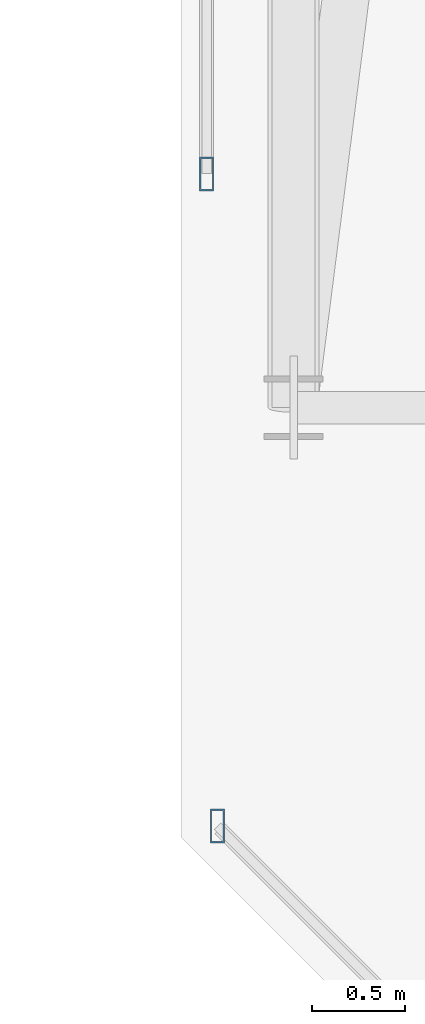
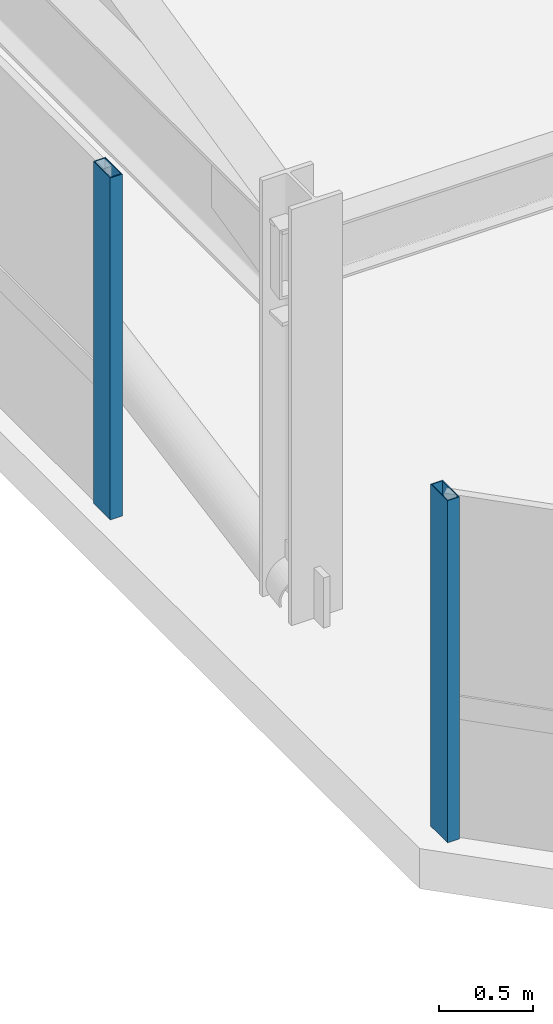
# One storey, part 17 of 42: 2 members, 2 elements without a shape of their own.
"""IFC4 building model written with IfcOpenShell, lengths in metres."""

from ifc_helpers import new_model, si_unit, direction, frame, origin, origin_2d, place, context, subcontext, project, spatial, hollow_rectangle, extrude, material, material_profile, profile_set, type_object, element, aggregate, save


model = new_model("IFC4")

# Units and contexts
model_context = context("Model", 3, precision=1e-05, world=origin(), true_north=direction((0.0, 1.0)))
body_context = subcontext(model_context, "Body", "Model", "MODEL_VIEW")
ifc_project = project(units=[si_unit("LENGTHUNIT", "METRE"), si_unit("AREAUNIT", "SQUARE_METRE"), si_unit("VOLUMEUNIT", "CUBIC_METRE"), si_unit("PLANEANGLEUNIT", "RADIAN"), si_unit("MASSUNIT", "GRAM", prefix="KILO")], contexts=[model_context])

# Site, building, storey
site_placement = place(None, origin())
site = spatial("IfcSite", under=ifc_project, at=site_placement, CompositionType="ELEMENT")
building_placement = place(site_placement, origin())
building = spatial("IfcBuilding", under=site, at=building_placement, Name="Thornwick Lancets Civic Towers", CompositionType="ELEMENT")
storey_placement = place(building_placement, frame((0.0, 0.0, 289.5)))
storey = spatial("IfcBuildingStorey", under=building, at=storey_placement, Name="C04", CompositionType="ELEMENT", Elevation=289.5)

# Curtain wall, member
ifc_material_1 = material(Name="Crown ring acoustic-louvre and glazing screen wall", Category="glass")
curtain_wall_type = type_object("IfcCurtainWallType", Name="CW_SYS_07", PredefinedType="NOTDEFINED", material=ifc_material_1)
curtain_wall_1_placement = place(storey_placement, origin())
curtain_wall_1 = element("IfcCurtainWall", 1, at=curtain_wall_1_placement, inside=storey, type_object=curtain_wall_type, Name="C04 Curtain Wall CW-C04-B-E6-S3", PredefinedType="NOTDEFINED")
ifc_material_2 = material(Name="Thermally broken bronze aluminium S355", Category="steel")
ifc_material_profile = material_profile(ifc_material_2, hollow_rectangle(XDim=0.074951171875, YDim=0.179931640625, WallThickness=0.006103515625, at=origin_2d()), Name="RHS 180x75x6")
ifc_profile_set = profile_set([ifc_material_profile], Name="Thermally broken bronze aluminium S355")
member_type = type_object("IfcMemberType", Name="CW_MUL_180", PredefinedType="MULLION", material=ifc_profile_set)
member_1_placement = place(storey_placement, frame((70.7353515625, 15.25, 0.0), z_axis=(0.0, 0.0, 1.0), x_axis=(1.0, 0.0, 0.0)))
member_1 = element("IfcMember", 2, at=member_1_placement, type_object=member_type, Name="CW-C04-B-E6-S3 Mullion 1", PredefinedType="MULLION", context=body_context, shape_type="SweptSolid", body=[
    extrude(hollow_rectangle(XDim=0.074951171875, YDim=0.179931640625, WallThickness=0.006103515625, at=origin_2d()), origin(), (0.0, 0.0, 1.0), 2.219970703125),
])
aggregate(curtain_wall_1, [member_1])

curtain_wall_2_placement = place(storey_placement, origin())
curtain_wall_2 = element("IfcCurtainWall", 3, at=curtain_wall_2_placement, inside=storey, type_object=curtain_wall_type, Name="C04 Curtain Wall CW-C04-B-E7", PredefinedType="NOTDEFINED")
member_2_placement = place(storey_placement, frame((70.7919921875, 11.761962890625, 0.0), z_axis=(0.0, 0.0, 1.0), x_axis=(1.0, 0.0, 0.0)))
member_2 = element("IfcMember", 4, at=member_2_placement, type_object=member_type, Name="CW-C04-B-E7 Mullion 0", PredefinedType="MULLION", context=body_context, shape_type="SweptSolid", body=[
    extrude(hollow_rectangle(XDim=0.074951171875, YDim=0.179931640625, WallThickness=0.006103515625, at=origin_2d()), origin(), (0.0, 0.0, 1.0), 2.219970703125),
])
aggregate(curtain_wall_2, [member_2])

save(model, "model.ifc")
